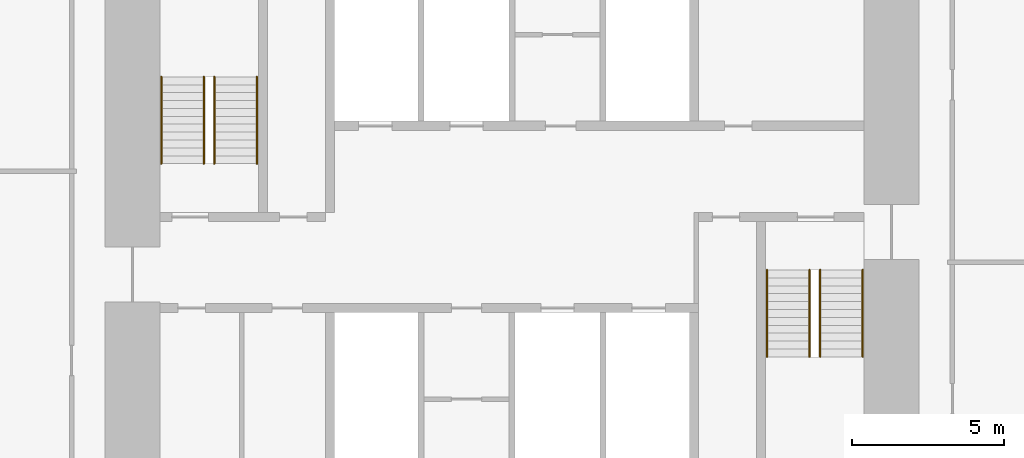
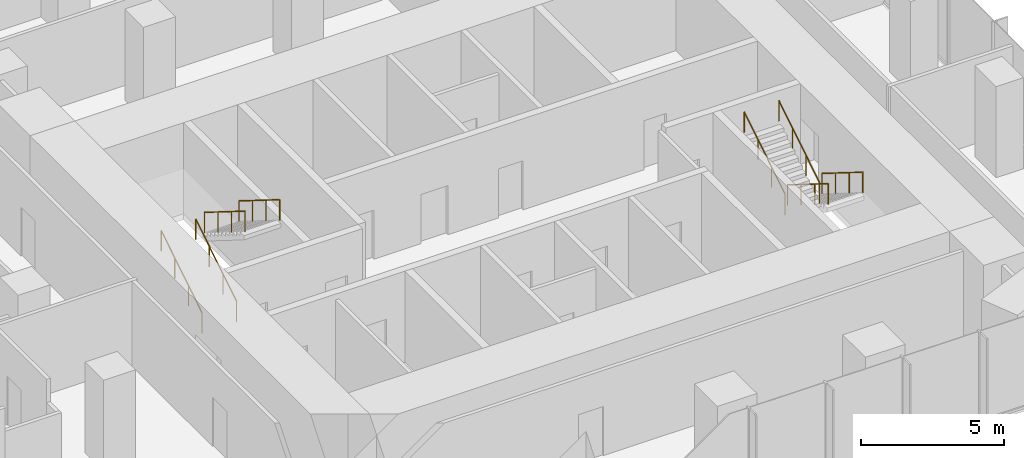
# One storey, part 11 of 11: 8 railings.
"""IFC4 building model written with IfcOpenShell, lengths in metres."""

from ifc_helpers import new_model, si_unit, direction, frame, origin, origin_2d, place, context, subcontext, project, spatial, circle, extrude, material, type_object, element, save


model = new_model("IFC4")

# Units and contexts
model_context = context("Model", 3, precision=1e-05, world=origin(), true_north=direction((0.0, 1.0)))
body_context = subcontext(model_context, "Body", "Model", "MODEL_VIEW")
ifc_project = project(units=[si_unit("LENGTHUNIT", "METRE"), si_unit("AREAUNIT", "SQUARE_METRE"), si_unit("VOLUMEUNIT", "CUBIC_METRE"), si_unit("PLANEANGLEUNIT", "RADIAN"), si_unit("MASSUNIT", "GRAM", prefix="KILO")], contexts=[model_context])

# Site, building, storey
site_placement = place(None, origin())
site = spatial("IfcSite", under=ifc_project, at=site_placement, CompositionType="ELEMENT")
building_placement = place(site_placement, origin())
building = spatial("IfcBuilding", under=site, at=building_placement, Name="Highveld Stack Headquarters", CompositionType="ELEMENT")
storey_placement = place(building_placement, frame((0.0, 0.0, 204.5)))
storey = spatial("IfcBuildingStorey", under=building, at=storey_placement, Name="L50", CompositionType="ELEMENT", Elevation=204.5)

# Railings
ifc_material = material(Name="Stainless steel handrail", Category="steel")
railing_type = type_object("IfcRailingType", Name="STAIR HANDRAIL HR1 900", PredefinedType="HANDRAIL", material=ifc_material)
for number, where, name in (
    (1, (-5.550048828125, 4.75, 0.16259765625), "Handrail S1 L50 flight 1"),
    (2, (-4.14990234375, 4.75, 0.16259765625), "Handrail S1 L50 flight 1"),
):
    element("IfcRailing", number, at=place(storey_placement, frame(where)), inside=storey, type_object=railing_type, Name=name, PredefinedType="HANDRAIL", context=body_context, shape_type="SweptSolid", body=[
        extrude(circle(Radius=0.02392578125, at=origin_2d()), frame((0.0, 0.0, 0.8759765625), z_axis=(0.0, 0.848026770018, 0.529953391661), x_axis=(-1.0, 0.0, 0.0)), (0.0, 0.0, 1.0), 3.37255859375),
        extrude(circle(Radius=0.02099609375, at=origin_2d()), origin(), (0.0, 0.0, 1.0), 0.851806640625),
        extrude(circle(Radius=0.02099609375, at=origin_2d()), frame((0.0, 0.953369140625, 0.595703125)), (0.0, 0.0, 1.0), 0.851806640625),
        extrude(circle(Radius=0.02099609375, at=origin_2d()), frame((0.0, 1.90673828125, 1.191650390625)), (0.0, 0.0, 1.0), 0.851806640625),
        extrude(circle(Radius=0.02099609375, at=origin_2d()), frame((0.0, 2.860107421875, 1.787353515625)), (0.0, 0.0, 1.0), 0.851806640625),
    ])
for number, where, name in (
    (3, (-3.800048828125, 7.610107421875, 2.112548828125), "Handrail S1 L50 flight 2"),
    (4, (-2.39990234375, 7.610107421875, 2.112548828125), "Handrail S1 L50 flight 2"),
    (5, (16.14990234375, 1.25, 0.16259765625), "Handrail S2 L50 flight 1"),
    (6, (17.550048828125, 1.25, 0.16259765625), "Handrail S2 L50 flight 1"),
):
    element("IfcRailing", number, at=place(storey_placement, frame(where)), inside=storey, type_object=railing_type, Name=name, PredefinedType="HANDRAIL", context=body_context, shape_type="SweptSolid", body=[
        extrude(circle(Radius=0.02392578125, at=origin_2d()), frame((0.0, 0.0, 0.8759765625), z_axis=(0.0, -0.848026770018, 0.529953391661), x_axis=(1.0, 0.0, 0.0)), (0.0, 0.0, 1.0), 3.37255859375),
        extrude(circle(Radius=0.02099609375, at=origin_2d()), origin(), (0.0, 0.0, 1.0), 0.851806640625),
        extrude(circle(Radius=0.02099609375, at=origin_2d()), frame((0.0, -0.953369140625, 0.595703125)), (0.0, 0.0, 1.0), 0.851806640625),
        extrude(circle(Radius=0.02099609375, at=origin_2d()), frame((0.0, -1.90673828125, 1.191650390625)), (0.0, 0.0, 1.0), 0.851806640625),
        extrude(circle(Radius=0.02099609375, at=origin_2d()), frame((0.0, -2.860107421875, 1.787353515625)), (0.0, 0.0, 1.0), 0.851806640625),
    ])
for number, where, name in (
    (7, (14.39990234375, -1.610107421875, 2.112548828125), "Handrail S2 L50 flight 2"),
    (8, (15.800048828125, -1.610107421875, 2.112548828125), "Handrail S2 L50 flight 2"),
):
    element("IfcRailing", number, at=place(storey_placement, frame(where)), inside=storey, type_object=railing_type, Name=name, PredefinedType="HANDRAIL", context=body_context, shape_type="SweptSolid", body=[
        extrude(circle(Radius=0.02392578125, at=origin_2d()), frame((0.0, 0.0, 0.8759765625), z_axis=(0.0, 0.848026770018, 0.529953391661), x_axis=(-1.0, 0.0, 0.0)), (0.0, 0.0, 1.0), 3.37255859375),
        extrude(circle(Radius=0.02099609375, at=origin_2d()), origin(), (0.0, 0.0, 1.0), 0.851806640625),
        extrude(circle(Radius=0.02099609375, at=origin_2d()), frame((0.0, 0.953369140625, 0.595703125)), (0.0, 0.0, 1.0), 0.851806640625),
        extrude(circle(Radius=0.02099609375, at=origin_2d()), frame((0.0, 1.90673828125, 1.191650390625)), (0.0, 0.0, 1.0), 0.851806640625),
        extrude(circle(Radius=0.02099609375, at=origin_2d()), frame((0.0, 2.860107421875, 1.787353515625)), (0.0, 0.0, 1.0), 0.851806640625),
    ])

save(model, "model.ifc")
